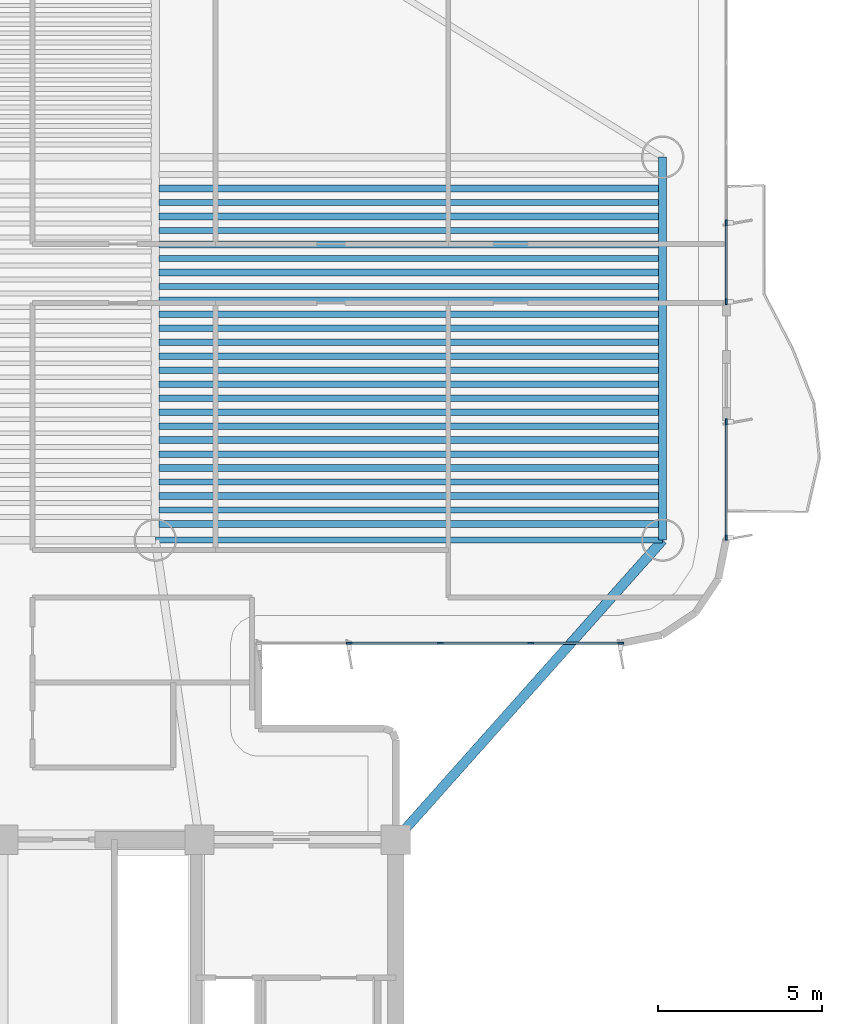
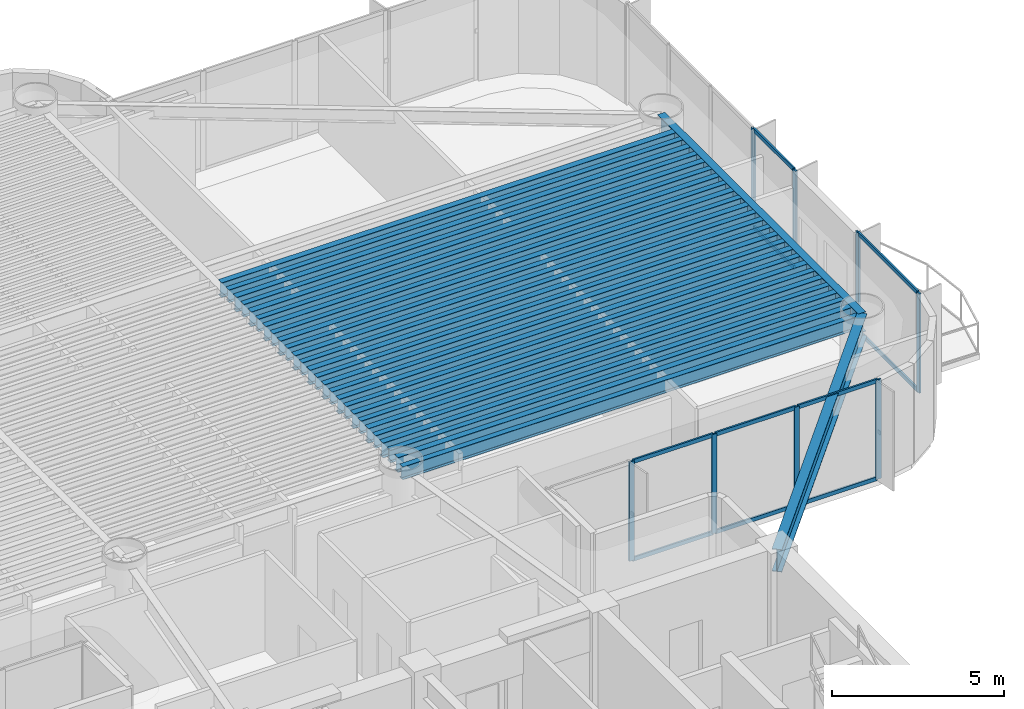
# One storey, part 4 of 16: 28 beams, 18 members, 3 elements without a shape of their own.
"""IFC4 building model written with IfcOpenShell, lengths in metres."""

import ifcopenshell
import ifcopenshell.guid

model = None  # the IFC model being written
_history = None  # IfcOwnerHistory: only IFC2X3 demands one
_inside = {}  # id of a spatial element -> (the spatial element, [elements in it])
_under = {}  # id of a project, library or spatial element -> (it, [spatial elements below it])
_declared = {}  # id of a project -> (the project, [libraries it declares])
_typed = {}  # id of a type object -> (the type object, [elements of that type])
_made_of = {}  # id of a material, layer set ... -> (it, [elements and type objects made of it])


def new_model(schema):
    """Start an empty IFC model of exactly this schema.

    Asked for "IFC4X3", IfcOpenShell would pick the latest addendum, in which some entities
    have other attributes; the version numbers below select the first issue.
    IFC2X3 requires an IfcOwnerHistory on every rooted entity: one is made here for all.
    """
    global model, _history
    if schema == "IFC4X3":
        model = ifcopenshell.file(schema_version=(4, 3, 0, 0))
    else:
        model = ifcopenshell.file(schema=schema)
    _inside.clear()
    _under.clear()
    _declared.clear()
    _typed.clear()
    _made_of.clear()
    _history = None
    if model.schema == "IFC2X3":
        org = make("IfcOrganization", Name="unknown")
        user = make(
            "IfcPersonAndOrganization",
            ThePerson=make("IfcPerson", FamilyName="unknown"),
            TheOrganization=org,
        )
        app = make(
            "IfcApplication",
            ApplicationDeveloper=org,
            Version="unknown",
            ApplicationFullName="unknown",
            ApplicationIdentifier="unknown",
        )
        _history = make(
            "IfcOwnerHistory",
            OwningUser=user,
            OwningApplication=app,
            ChangeAction="ADDED",
            CreationDate=0,
        )
    return model


def make(cls, **values):
    """One entity of the class cls with the attributes given. An attribute that is None is left unset."""
    return model.create_entity(
        cls, **{name: value for name, value in values.items() if value is not None}
    )


def rooted(cls, **values):
    """An entity with a GlobalId (a new one), such as an element, a storey or a relation."""
    return make(cls, GlobalId=ifcopenshell.guid.new(), OwnerHistory=_history, **values)


def si_unit(unit_type, name, prefix=None):
    """IfcSIUnit, for example si_unit("LENGTHUNIT", "METRE", prefix="MILLI")."""
    return make("IfcSIUnit", UnitType=unit_type, Prefix=prefix, Name=name)


def assignment(units):
    """IfcUnitAssignment: the units of a project."""
    return None if units is None else make("IfcUnitAssignment", Units=units)


def point(xyz):
    """IfcCartesianPoint."""
    return None if xyz is None else make("IfcCartesianPoint", Coordinates=xyz)


def direction(xyz):
    """IfcDirection."""
    return None if xyz is None else make("IfcDirection", DirectionRatios=xyz)


def frame(location, z_axis=None, x_axis=None):
    """IfcAxis2Placement3D, a coordinate frame: its origin and axes. An axis left out is left unset."""
    return make(
        "IfcAxis2Placement3D",
        Location=point(location),
        Axis=direction(z_axis),
        RefDirection=direction(x_axis),
    )


def frame_2d(location, x_axis=None):
    """IfcAxis2Placement2D, a coordinate frame in the plane: its origin and x axis."""
    return make(
        "IfcAxis2Placement2D", Location=point(location), RefDirection=direction(x_axis)
    )


def origin():
    """The frame at (0, 0, 0) with its axes left unset."""
    return frame((0.0, 0.0, 0.0))


def origin_2d():
    """The frame at (0, 0) in the plane with its x axis left unset."""
    return frame_2d((0.0, 0.0))


def place(relative_to, where):
    """IfcLocalPlacement: puts the frame where relative to a parent placement (None: the world)."""
    return make(
        "IfcLocalPlacement", PlacementRelTo=relative_to, RelativePlacement=where
    )


def context(
    kind, dimensions, precision=None, world=None, true_north=None, identifier=None
):
    """IfcGeometricRepresentationContext, for example the 3D "Model" context."""
    return make(
        "IfcGeometricRepresentationContext",
        ContextIdentifier=identifier,
        ContextType=kind,
        CoordinateSpaceDimension=dimensions,
        Precision=precision,
        WorldCoordinateSystem=world,
        TrueNorth=true_north,
    )


def subcontext(parent, identifier, kind, view, scale=None):
    """IfcGeometricRepresentationSubContext, for example "Body" below "Model"."""
    return make(
        "IfcGeometricRepresentationSubContext",
        ContextIdentifier=identifier,
        ContextType=kind,
        ParentContext=parent,
        TargetScale=scale,
        TargetView=view,
    )


def project(units=None, contexts=None):
    """IfcProject with its units and contexts."""
    return rooted(
        "IfcProject",
        Name="project",
        RepresentationContexts=contexts,
        UnitsInContext=assignment(units),
    )


def spatial(cls, under=None, at=None, **own):
    """A site, building, storey or space (cls), placed at a placement, below another one or the project."""
    s = rooted(cls, ObjectPlacement=at, **own)
    if under is not None:
        _under.setdefault(under.id(), (under, []))[1].append(s)
    return s


def profile(cls, at=None, kind="AREA", **sizes):
    """A parametric profile (cls). Its sizes go by their IFC names, for example OverallWidth=200.0."""
    return make(cls, ProfileType=kind, Position=at, **sizes)


def rectangle(**sizes):
    """IfcRectangleProfileDef."""
    return profile("IfcRectangleProfileDef", **sizes)


def i_section(**sizes):
    """IfcIShapeProfileDef."""
    return profile("IfcIShapeProfileDef", **sizes)


def extrude(swept, where, along, depth):
    """IfcExtrudedAreaSolid: the profile swept, set in the frame where, extruded along a direction by depth."""
    return make(
        "IfcExtrudedAreaSolid",
        SweptArea=swept,
        Position=where,
        ExtrudedDirection=direction(along),
        Depth=depth,
    )


def shape(context_of_items, identifier, shape_type, items):
    """IfcShapeRepresentation: the items that make up one representation, for example the "Body"."""
    return make(
        "IfcShapeRepresentation",
        ContextOfItems=context_of_items,
        RepresentationIdentifier=identifier,
        RepresentationType=shape_type,
        Items=items,
    )


def source(mapping_origin, context_of_items, identifier, shape_type, items):
    """IfcRepresentationMap: a shape defined once, which mapped items show again and again."""
    return make(
        "IfcRepresentationMap",
        MappingOrigin=mapping_origin,
        MappedRepresentation=shape(context_of_items, identifier, shape_type, items),
    )


def transform(
    local_origin,
    x_axis=None,
    y_axis=None,
    z_axis=None,
    scale=None,
    scale2=None,
    scale3=None,
    uniform=True,
):
    """IfcCartesianTransformationOperator3D, or its non-uniform kind. x_axis, y_axis, z_axis: its Axis1, 2, 3."""
    if uniform:
        return make(
            "IfcCartesianTransformationOperator3D",
            Axis1=direction(x_axis),
            Axis2=direction(y_axis),
            LocalOrigin=point(local_origin),
            Scale=scale,
            Axis3=direction(z_axis),
        )
    return make(
        "IfcCartesianTransformationOperator3DnonUniform",
        Axis1=direction(x_axis),
        Axis2=direction(y_axis),
        LocalOrigin=point(local_origin),
        Scale=scale,
        Axis3=direction(z_axis),
        Scale2=scale2,
        Scale3=scale3,
    )


def mapped(mapping_source, mapping_target):
    """IfcMappedItem: shows the shape of a source again, moved by a transform."""
    return make(
        "IfcMappedItem", MappingSource=mapping_source, MappingTarget=mapping_target
    )


def material(Name=None, Category=None):
    """IfcMaterial."""
    return make("IfcMaterial", Name=Name, Category=Category)


def layer(
    of_material, thickness, ventilated=None, Name=None, Category=None, Priority=None
):
    """IfcMaterialLayer: one layer of a wall or slab, of a material (None: an air gap)."""
    return make(
        "IfcMaterialLayer",
        Material=of_material,
        LayerThickness=thickness,
        IsVentilated=ventilated,
        Name=Name,
        Category=Category,
        Priority=Priority,
    )


def layer_set(layers, Name=None):
    """IfcMaterialLayerSet."""
    return make("IfcMaterialLayerSet", MaterialLayers=layers, LayerSetName=Name)


def material_profile(
    of_material, cross_section, Name=None, Category=None, Priority=None
):
    """IfcMaterialProfile: a cross section and its material."""
    return make(
        "IfcMaterialProfile",
        Name=Name,
        Material=of_material,
        Profile=cross_section,
        Priority=Priority,
        Category=Category,
    )


def profile_set(profiles, Name=None, composite=None):
    """IfcMaterialProfileSet."""
    return make(
        "IfcMaterialProfileSet",
        Name=Name,
        MaterialProfiles=profiles,
        CompositeProfile=composite,
    )


def made_of(thing, what):
    """Note that an element or type object is made of a material, layer set ...; save() writes the relation."""
    if what is not None:
        _made_of.setdefault(what.id(), (what, []))[1].append(thing)
    return thing


def type_object(cls, material=None, **own):
    """A type object (cls), such as IfcWallType, which elements share."""
    return made_of(rooted(cls, **own), material)


def element(
    cls,
    number,
    at=None,
    inside=None,
    cuts=None,
    type_object=None,
    material=None,
    context=None,
    identifier="Body",
    shape_type=None,
    held_by="IfcProductDefinitionShape",
    body=None,
    shapes=None,
    **own,
):
    """One element of the class cls, such as IfcWall. Its Tag is "e" and its number.

    at: its placement. inside: the storey or other place that contains it. cuts: it is an
    opening in that element (IfcRelVoidsElement). A single representation is given by context,
    identifier, shape_type and body (its items); several are given by shapes. held_by: the class
    of the entity that holds the representations. save() writes the other relations.
    """
    e = rooted(cls, Tag="e%d" % number, ObjectPlacement=at, **own)
    if body is not None:
        shapes = [shape(context, identifier, shape_type, body)]
    if shapes is not None:
        e.Representation = make(held_by, Representations=shapes)
    if inside is not None:
        _inside.setdefault(inside.id(), (inside, []))[1].append(e)
    if cuts is not None:
        rooted(
            "IfcRelVoidsElement", RelatingBuildingElement=cuts, RelatedOpeningElement=e
        )
    if type_object is not None:
        _typed.setdefault(type_object.id(), (type_object, []))[1].append(e)
    return made_of(e, material)


def aggregate(whole, parts):
    """IfcRelAggregates: a whole, such as a stair, and the parts it consists of."""
    return rooted("IfcRelAggregates", RelatingObject=whole, RelatedObjects=parts)


def save(model, path):
    """Write the relations noted so far, then the file.

    IfcRelAggregates (storeys below a building ...), IfcRelContainedInSpatialStructure (elements
    in a storey), IfcRelDefinesByType, IfcRelAssociatesMaterial and IfcRelDeclares: one each for
    every whole, place, type object, material and project.
    """
    for whole, parts in _under.values():
        aggregate(whole, parts)
    for where, things in _inside.values():
        rooted(
            "IfcRelContainedInSpatialStructure",
            RelatedElements=things,
            RelatingStructure=where,
        )
    for kind, things in _typed.values():
        rooted("IfcRelDefinesByType", RelatedObjects=things, RelatingType=kind)
    for what, things in _made_of.values():
        rooted("IfcRelAssociatesMaterial", RelatedObjects=things, RelatingMaterial=what)
    for by, libraries in _declared.values():
        rooted("IfcRelDeclares", RelatingContext=by, RelatedDefinitions=libraries)
    model.write(path)


model = new_model("IFC4")

# Units and contexts
model_context = context("Model", 3, precision=1e-05, world=origin(), true_north=direction((0.0, 1.0)))
body_context = subcontext(model_context, "Body", "Model", "MODEL_VIEW")
ifc_project = project(units=[si_unit("LENGTHUNIT", "METRE"), si_unit("AREAUNIT", "SQUARE_METRE"), si_unit("VOLUMEUNIT", "CUBIC_METRE"), si_unit("PLANEANGLEUNIT", "RADIAN"), si_unit("MASSUNIT", "GRAM", prefix="KILO")], contexts=[model_context])

# Site, building, storey
site_placement = place(None, origin())
site = spatial("IfcSite", under=ifc_project, at=site_placement, CompositionType="ELEMENT")
building_placement = place(site_placement, origin())
building = spatial("IfcBuilding", under=site, at=building_placement, Name="Brelvock Crest Care Tower", CompositionType="ELEMENT")
storey_placement = place(building_placement, frame((0.0, 0.0, 123.840087890625)))
storey = spatial("IfcBuildingStorey", under=building, at=storey_placement, Name="L31", CompositionType="ELEMENT", Elevation=123.840087890625)

# Beams
ifc_material_1 = material(Name="Steel Grade 350", Category="steel")
ifc_material_profile_1 = material_profile(ifc_material_1, i_section(OverallWidth=0.208984375, OverallDepth=0.532958984375, WebThickness=0.01025390625, FlangeThickness=0.015625, FilletRadius=0.013916015625, at=origin_2d()), Name="530UB92.4")
ifc_profile_set_1 = profile_set([ifc_material_profile_1], Name="Steel Grade 350")
beam_type_1 = type_object("IfcBeamType", Name="BM-G2", PredefinedType="BEAM", material=ifc_profile_set_1)
shared_shape_1 = source(origin(), body_context, "Body", "SweptSolid", [
    extrude(i_section(OverallWidth=0.208984375, OverallDepth=0.532958984375, WebThickness=0.01025390625, FlangeThickness=0.015625, FilletRadius=0.013916015625, at=origin_2d()), origin(), (0.0, 0.0, 1.0), 15.27001953125),
])
for number, where, z_axis, x_axis, name in (
    (1, (40.764892578125, 27.641357421875, 3.263427734375), (1.0, 0.0, 0.0), (0.0, 1.0, 0.0), "BM-JE-L31-1"),
    (2, (40.764892578125, 28.49560546875, 3.263427734375), (1.0, 0.0, 0.0), (0.0, 1.0, 0.0), "BM-JE-L31-3"),
    (3, (40.764892578125, 29.349609375, 3.263427734375), (1.0, 0.0, 0.0), (0.0, 1.0, 0.0), "BM-JE-L31-5"),
    (4, (40.764892578125, 30.20361328125, 3.263427734375), (1.0, 0.0, 0.0), (0.0, 1.0, 0.0), "BM-JE-L31-7"),
    (5, (40.764892578125, 31.057861328125, 3.263427734375), (1.0, 0.0, 0.0), (0.0, 1.0, 0.0), "BM-JE-L31-9"),
    (6, (40.764892578125, 31.911865234375, 3.263427734375), (1.0, 0.0, 0.0), (0.0, 1.0, 0.0), "BM-JE-L31-11"),
    (7, (40.764892578125, 32.76611328125, 3.263427734375), (1.0, 0.0, 0.0), (0.0, 1.0, 0.0), "BM-JE-L31-13"),
    (8, (40.764892578125, 33.6201171875, 3.263427734375), (1.0, 0.0, 0.0), (0.0, 1.0, 0.0), "BM-JE-L31-15"),
    (9, (40.764892578125, 34.47412109375, 3.263427734375), (1.0, 0.0, 0.0), (0.0, 1.0, 0.0), "BM-JE-L31-17"),
    (10, (40.764892578125, 35.328369140625, 3.263427734375), (1.0, 0.0, 0.0), (0.0, 1.0, 0.0), "BM-JE-L31-19"),
    (11, (40.764892578125, 36.182373046875, 3.263427734375), (1.0, 0.0, 0.0), (0.0, 1.0, 0.0), "BM-JE-L31-21"),
    (12, (40.764892578125, 37.03662109375, 3.263427734375), (1.0, 0.0, 0.0), (0.0, 1.0, 0.0), "BM-JE-L31-23"),
    (13, (40.764892578125, 37.890625, 3.263427734375), (1.0, 0.0, 0.0), (0.0, 1.0, 0.0), "BM-JE-L31-25"),
):
    element("IfcBeam", number, at=place(storey_placement, frame(where, z_axis=z_axis, x_axis=x_axis)), inside=storey, type_object=beam_type_1, Name=name, PredefinedType="BEAM", context=body_context, shape_type="MappedRepresentation", body=[
        mapped(shared_shape_1, transform((0.0, 0.0, 0.0), x_axis=(1.0, 0.0, 0.0), y_axis=(0.0, 1.0, 0.0), z_axis=(0.0, 0.0, 1.0), scale=1.0)),
    ])
ifc_material_profile_2 = material_profile(ifc_material_1, i_section(OverallWidth=0.19091796875, OverallDepth=0.4599609375, WebThickness=0.010009765625, FlangeThickness=0.01611328125, FilletRadius=0.011474609375, at=origin_2d()), Name="460UB82.1")
ifc_profile_set_2 = profile_set([ifc_material_profile_2], Name="Steel Grade 350")
beam_type_2 = type_object("IfcBeamType", Name="BM-G3", PredefinedType="BEAM", material=ifc_profile_set_2)
shared_shape_2 = source(origin(), body_context, "Body", "SweptSolid", [
    extrude(i_section(OverallWidth=0.19091796875, OverallDepth=0.4599609375, WebThickness=0.010009765625, FlangeThickness=0.01611328125, FilletRadius=0.011474609375, at=origin_2d()), origin(), (0.0, 0.0, 1.0), 15.27001953125),
])
for number, where, z_axis, x_axis, name in (
    (14, (40.764892578125, 28.068359375, 3.2998046875), (1.0, 0.0, 0.0), (0.0, 1.0, 0.0), "BM-JE-L31-2"),
    (15, (40.764892578125, 28.922607421875, 3.2998046875), (1.0, 0.0, 0.0), (0.0, 1.0, 0.0), "BM-JE-L31-4"),
    (16, (40.764892578125, 29.776611328125, 3.2998046875), (1.0, 0.0, 0.0), (0.0, 1.0, 0.0), "BM-JE-L31-6"),
    (17, (40.764892578125, 30.630615234375, 3.2998046875), (1.0, 0.0, 0.0), (0.0, 1.0, 0.0), "BM-JE-L31-8"),
    (18, (40.764892578125, 31.48486328125, 3.2998046875), (1.0, 0.0, 0.0), (0.0, 1.0, 0.0), "BM-JE-L31-10"),
    (19, (40.764892578125, 32.3388671875, 3.2998046875), (1.0, 0.0, 0.0), (0.0, 1.0, 0.0), "BM-JE-L31-12"),
    (20, (40.764892578125, 33.193115234375, 3.2998046875), (1.0, 0.0, 0.0), (0.0, 1.0, 0.0), "BM-JE-L31-14"),
    (21, (40.764892578125, 34.047119140625, 3.2998046875), (1.0, 0.0, 0.0), (0.0, 1.0, 0.0), "BM-JE-L31-16"),
    (22, (40.764892578125, 34.901123046875, 3.2998046875), (1.0, 0.0, 0.0), (0.0, 1.0, 0.0), "BM-JE-L31-18"),
    (23, (40.764892578125, 35.75537109375, 3.2998046875), (1.0, 0.0, 0.0), (0.0, 1.0, 0.0), "BM-JE-L31-20"),
    (24, (40.764892578125, 36.609619140625, 3.2998046875), (1.0, 0.0, 0.0), (0.0, 1.0, 0.0), "BM-JE-L31-22"),
    (25, (40.764892578125, 37.46337890625, 3.2998046875), (1.0, 0.0, 0.0), (0.0, 1.0, 0.0), "BM-JE-L31-24"),
):
    element("IfcBeam", number, at=place(storey_placement, frame(where, z_axis=z_axis, x_axis=x_axis)), inside=storey, type_object=beam_type_2, Name=name, PredefinedType="BEAM", context=body_context, shape_type="MappedRepresentation", body=[
        mapped(shared_shape_2, transform((0.0, 0.0, 0.0), x_axis=(1.0, 0.0, 0.0), y_axis=(0.0, 1.0, 0.0), z_axis=(0.0, 0.0, 1.0), scale=1.0)),
    ])
ifc_material_profile_3 = material_profile(ifc_material_1, i_section(OverallWidth=0.25, OverallDepth=0.699951171875, WebThickness=0.011962890625, FlangeThickness=0.02001953125, at=origin_2d()), Name="700WB150")
ifc_profile_set_3 = profile_set([ifc_material_profile_3], Name="Steel Grade 350")
beam_type_3 = type_object("IfcBeamType", Name="BM-G4", PredefinedType="BEAM", material=ifc_profile_set_3)
shared_shape_3 = source(origin(), body_context, "Body", "SweptSolid", [
    extrude(i_section(OverallWidth=0.25, OverallDepth=0.699951171875, WebThickness=0.011962890625, FlangeThickness=0.02001953125, at=origin_2d()), origin(), (0.0, 0.0, 1.0), 11.7001953125),
])
beam_1_placement = place(storey_placement, frame((56.14990234375, 27.14990234375, 3.179931640625), z_axis=(0.0, 1.0, 0.0), x_axis=(-1.0, 0.0, 0.0)))
element("IfcBeam", 26, at=beam_1_placement, inside=storey, type_object=beam_type_3, Name="BM-TWR-L31-02", PredefinedType="BEAM", context=body_context, shape_type="MappedRepresentation", body=[
    mapped(shared_shape_3, transform((0.0, 0.0, 0.0), x_axis=(1.0, 0.0, 0.0), y_axis=(0.0, 1.0, 0.0), z_axis=(0.0, 0.0, 1.0), scale=1.0)),
])
ifc_material_profile_4 = material_profile(ifc_material_1, i_section(OverallWidth=0.19091796875, OverallDepth=0.4599609375, WebThickness=0.010009765625, FlangeThickness=0.01611328125, FilletRadius=0.011474609375, at=origin_2d()), Name="460UB82.1")
ifc_profile_set_4 = profile_set([ifc_material_profile_4], Name="Steel Grade 350")
beam_type_4 = type_object("IfcBeamType", Name="BM-SP2", PredefinedType="SPANDREL", material=ifc_profile_set_4)
shared_shape_4 = source(origin(), body_context, "Body", "SweptSolid", [
    extrude(i_section(OverallWidth=0.19091796875, OverallDepth=0.4599609375, WebThickness=0.010009765625, FlangeThickness=0.01611328125, FilletRadius=0.011474609375, at=origin_2d()), origin(), (0.0, 0.0, 1.0), 15.5),
])
beam_2_placement = place(storey_placement, frame((40.64990234375, 27.14990234375, 3.2998046875), z_axis=(1.0, 0.0, 0.0), x_axis=(0.0, 1.0, 0.0)))
element("IfcBeam", 27, at=beam_2_placement, inside=storey, type_object=beam_type_4, Name="BM-TWR-L31-04", PredefinedType="SPANDREL", context=body_context, shape_type="MappedRepresentation", body=[
    mapped(shared_shape_4, transform((0.0, 0.0, 0.0), x_axis=(1.0, 0.0, 0.0), y_axis=(0.0, 1.0, 0.0), z_axis=(0.0, 0.0, 1.0), scale=1.0)),
])
ifc_material_profile_5 = material_profile(ifc_material_1, i_section(OverallWidth=0.300048828125, OverallDepth=0.800048828125, WebThickness=0.013916015625, FlangeThickness=0.02197265625, at=origin_2d()), Name="800WB192")
ifc_profile_set_5 = profile_set([ifc_material_profile_5], Name="Steel Grade 350")
beam_type_5 = type_object("IfcBeamType", Name="BM-G5", PredefinedType="BEAM", material=ifc_profile_set_5)
shared_shape_5 = source(origin(), body_context, "Body", "SweptSolid", [
    extrude(i_section(OverallWidth=0.300048828125, OverallDepth=0.800048828125, WebThickness=0.013916015625, FlangeThickness=0.02197265625, at=origin_2d()), origin(), (0.0, 0.0, 1.0), 12.253173828125),
])
beam_3_placement = place(storey_placement, frame((48.0, 18.0, 3.1298828125), z_axis=(0.665122829149, 0.746733970129, 0.0), x_axis=(-0.746733970129, 0.665122829149, 0.0)))
element("IfcBeam", 28, at=beam_3_placement, inside=storey, type_object=beam_type_5, Name="BM-THRO-E-L31", PredefinedType="BEAM", context=body_context, shape_type="MappedRepresentation", body=[
    mapped(shared_shape_5, transform((0.0, 0.0, 0.0), x_axis=(1.0, 0.0, 0.0), y_axis=(0.0, 1.0, 0.0), z_axis=(0.0, 0.0, 1.0), scale=1.0)),
])

# Curtain wall, members
ifc_material_2 = material(Name="Dark Glass Double Glazed Low-E", Category="glass")
ifc_layer = layer(ifc_material_2, 0.2099609375, Name="CWS-3")
ifc_layer_set = layer_set([ifc_layer], Name="Dark Glass Double Glazed Low-E")
curtain_wall_type = type_object("IfcCurtainWallType", Name="CWS-3", PredefinedType="NOTDEFINED", material=ifc_layer_set)
curtain_wall_1_placement = place(storey_placement, origin())
curtain_wall_1 = element("IfcCurtainWall", 29, at=curtain_wall_1_placement, inside=storey, type_object=curtain_wall_type, Name="L31 Curtain Wall E39A", PredefinedType="NOTDEFINED")
ifc_material_3 = material(Name="Aluminium 6063-T6", Category="aluminium")
ifc_material_profile_6 = material_profile(ifc_material_3, rectangle(XDim=0.06005859375, YDim=0.179931640625, at=origin_2d()), Name="ALU60x180")
ifc_profile_set_6 = profile_set([ifc_material_profile_6], Name="Aluminium 6063-T6")
member_type_1 = type_object("IfcMemberType", Name="CWM-2", PredefinedType="MULLION", material=ifc_profile_set_6)
shared_shape_6 = source(origin(), body_context, "Body", "SweptSolid", [
    extrude(rectangle(XDim=0.06005859375, YDim=0.179931640625, at=origin_2d()), origin(), (0.0, 0.0, 1.0), 3.530029296875),
])
member_1_placement = place(storey_placement, frame((58.10009765625, 36.85009765625, 0.0), z_axis=(0.0, 0.0, 1.0), x_axis=(1.0, 0.0, 0.0)))
member_1 = element("IfcMember", 30, at=member_1_placement, type_object=member_type_1, Name="CW-3 mullion 4", PredefinedType="MULLION", context=body_context, shape_type="MappedRepresentation", body=[
    mapped(shared_shape_6, transform((0.0, 0.0, 0.0), x_axis=(1.0, 0.0, 0.0), y_axis=(0.0, 1.0, 0.0), z_axis=(0.0, 0.0, 1.0), scale=1.0)),
])
member_2_placement = place(storey_placement, frame((58.10009765625, 34.429931640625, 0.0), z_axis=(0.0, 0.0, 1.0), x_axis=(1.0, 0.0, 0.0)))
member_2 = element("IfcMember", 31, at=member_2_placement, type_object=member_type_1, Name="CW-3 mullion 5", PredefinedType="MULLION", context=body_context, shape_type="MappedRepresentation", body=[
    mapped(shared_shape_6, transform((0.0, 0.0, 0.0), x_axis=(1.0, 0.0, 0.0), y_axis=(0.0, 1.0, 0.0), z_axis=(0.0, 0.0, 1.0), scale=1.0)),
])

curtain_wall_2_placement = place(storey_placement, origin())
curtain_wall_2 = element("IfcCurtainWall", 32, at=curtain_wall_2_placement, inside=storey, type_object=curtain_wall_type, Name="L31 Curtain Wall E39B", PredefinedType="NOTDEFINED")
member_3_placement = place(storey_placement, frame((58.10009765625, 30.77001953125, 0.0), z_axis=(0.0, 0.0, 1.0), x_axis=(1.0, 0.0, 0.0)))
member_3 = element("IfcMember", 33, at=member_3_placement, type_object=member_type_1, Name="CW-3 mullion 1", PredefinedType="MULLION", context=body_context, shape_type="MappedRepresentation", body=[
    mapped(shared_shape_6, transform((0.0, 0.0, 0.0), x_axis=(1.0, 0.0, 0.0), y_axis=(0.0, 1.0, 0.0), z_axis=(0.0, 0.0, 1.0), scale=1.0)),
])
member_4_placement = place(storey_placement, frame((58.10009765625, 27.22998046875, 0.0), z_axis=(0.0, 0.0, 1.0), x_axis=(1.0, 0.0, 0.0)))
member_4 = element("IfcMember", 34, at=member_4_placement, type_object=member_type_1, Name="CW-3 mullion 2", PredefinedType="MULLION", context=body_context, shape_type="MappedRepresentation", body=[
    mapped(shared_shape_6, transform((0.0, 0.0, 0.0), x_axis=(1.0, 0.0, 0.0), y_axis=(0.0, 1.0, 0.0), z_axis=(0.0, 0.0, 1.0), scale=1.0)),
])

curtain_wall_3_placement = place(storey_placement, origin())
curtain_wall_3 = element("IfcCurtainWall", 35, at=curtain_wall_3_placement, inside=storey, type_object=curtain_wall_type, Name="L31 Curtain Wall E44", PredefinedType="NOTDEFINED")
member_5_placement = place(storey_placement, frame((54.8701171875, 24.0, 0.0), z_axis=(0.0, 0.0, 1.0), x_axis=(0.0, -1.0, 0.0)))
member_5 = element("IfcMember", 36, at=member_5_placement, type_object=member_type_1, Name="CW-3 mullion 1", PredefinedType="MULLION", context=body_context, shape_type="MappedRepresentation", body=[
    mapped(shared_shape_6, transform((0.0, 0.0, 0.0), x_axis=(1.0, 0.0, 0.0), y_axis=(0.0, 1.0, 0.0), z_axis=(0.0, 0.0, 1.0), scale=1.0)),
])
member_6_placement = place(storey_placement, frame((52.125, 24.0, 0.0), z_axis=(0.0, 0.0, 1.0), x_axis=(0.0, -1.0, 0.0)))
member_6 = element("IfcMember", 37, at=member_6_placement, type_object=member_type_1, Name="CW-3 mullion 2", PredefinedType="MULLION", context=body_context, shape_type="MappedRepresentation", body=[
    mapped(shared_shape_6, transform((0.0, 0.0, 0.0), x_axis=(1.0, 0.0, 0.0), y_axis=(0.0, 1.0, 0.0), z_axis=(0.0, 0.0, 1.0), scale=1.0)),
])
member_7_placement = place(storey_placement, frame((49.35009765625, 24.0, 0.0), z_axis=(0.0, 0.0, 1.0), x_axis=(0.0, -1.0, 0.0)))
member_7 = element("IfcMember", 38, at=member_7_placement, type_object=member_type_1, Name="CW-3 mullion 3", PredefinedType="MULLION", context=body_context, shape_type="MappedRepresentation", body=[
    mapped(shared_shape_6, transform((0.0, 0.0, 0.0), x_axis=(1.0, 0.0, 0.0), y_axis=(0.0, 1.0, 0.0), z_axis=(0.0, 0.0, 1.0), scale=1.0)),
])
member_8_placement = place(storey_placement, frame((46.574951171875, 24.0, 0.0), z_axis=(0.0, 0.0, 1.0), x_axis=(0.0, -1.0, 0.0)))
member_8 = element("IfcMember", 39, at=member_8_placement, type_object=member_type_1, Name="CW-3 mullion 4", PredefinedType="MULLION", context=body_context, shape_type="MappedRepresentation", body=[
    mapped(shared_shape_6, transform((0.0, 0.0, 0.0), x_axis=(1.0, 0.0, 0.0), y_axis=(0.0, 1.0, 0.0), z_axis=(0.0, 0.0, 1.0), scale=1.0)),
])
ifc_material_profile_7 = material_profile(ifc_material_3, rectangle(XDim=0.06005859375, YDim=0.139892578125, at=origin_2d()), Name="ALU60x140")
ifc_profile_set_7 = profile_set([ifc_material_profile_7], Name="Aluminium 6063-T6")
member_type_2 = type_object("IfcMemberType", Name="CWT-2", PredefinedType="USERDEFINED", material=ifc_profile_set_7)
shared_shape_7 = source(origin(), body_context, "Body", "SweptSolid", [
    extrude(rectangle(XDim=0.06005859375, YDim=0.139892578125, at=origin_2d()), origin(), (0.0, 0.0, 1.0), 2.715087890625),
])
member_9_placement = place(storey_placement, frame((52.094970703125, 24.0, 0.030029296875), z_axis=(-1.0, 0.0, 0.0), x_axis=(0.0, -1.0, 0.0)))
member_9 = element("IfcMember", 40, at=member_9_placement, type_object=member_type_2, Name="CW-3 transom 2.1", ObjectType="TRANSOM", PredefinedType="USERDEFINED", context=body_context, shape_type="MappedRepresentation", body=[
    mapped(shared_shape_7, transform((0.0, 0.0, 0.0), x_axis=(1.0, 0.0, 0.0), y_axis=(0.0, 1.0, 0.0), z_axis=(0.0, 0.0, 1.0), scale=1.0)),
])
member_10_placement = place(storey_placement, frame((52.094970703125, 24.0, 3.5), z_axis=(-1.0, 0.0, 0.0), x_axis=(0.0, -1.0, 0.0)))
member_10 = element("IfcMember", 41, at=member_10_placement, type_object=member_type_2, Name="CW-3 transom 2.2", ObjectType="TRANSOM", PredefinedType="USERDEFINED", context=body_context, shape_type="MappedRepresentation", body=[
    mapped(shared_shape_7, transform((0.0, 0.0, 0.0), x_axis=(1.0, 0.0, 0.0), y_axis=(0.0, 1.0, 0.0), z_axis=(0.0, 0.0, 1.0), scale=1.0)),
])
member_11_placement = place(storey_placement, frame((49.320068359375, 24.0, 0.030029296875), z_axis=(-1.0, 0.0, 0.0), x_axis=(0.0, -1.0, 0.0)))
member_11 = element("IfcMember", 42, at=member_11_placement, type_object=member_type_2, Name="CW-3 transom 3.1", ObjectType="TRANSOM", PredefinedType="USERDEFINED", context=body_context, shape_type="MappedRepresentation", body=[
    mapped(shared_shape_7, transform((0.0, 0.0, 0.0), x_axis=(1.0, 0.0, 0.0), y_axis=(0.0, 1.0, 0.0), z_axis=(0.0, 0.0, 1.0), scale=1.0)),
])
member_12_placement = place(storey_placement, frame((49.320068359375, 24.0, 3.5), z_axis=(-1.0, 0.0, 0.0), x_axis=(0.0, -1.0, 0.0)))
member_12 = element("IfcMember", 43, at=member_12_placement, type_object=member_type_2, Name="CW-3 transom 3.2", ObjectType="TRANSOM", PredefinedType="USERDEFINED", context=body_context, shape_type="MappedRepresentation", body=[
    mapped(shared_shape_7, transform((0.0, 0.0, 0.0), x_axis=(1.0, 0.0, 0.0), y_axis=(0.0, 1.0, 0.0), z_axis=(0.0, 0.0, 1.0), scale=1.0)),
])
shared_shape_8 = source(origin(), body_context, "Body", "SweptSolid", [
    extrude(rectangle(XDim=0.06005859375, YDim=0.139892578125, at=origin_2d()), origin(), (0.0, 0.0, 1.0), 2.68505859375),
])
member_13_placement = place(storey_placement, frame((54.840087890625, 24.0, 0.030029296875), z_axis=(-1.0, 0.0, 0.0), x_axis=(0.0, -1.0, 0.0)))
member_13 = element("IfcMember", 44, at=member_13_placement, type_object=member_type_2, Name="CW-3 transom 1.1", ObjectType="TRANSOM", PredefinedType="USERDEFINED", context=body_context, shape_type="MappedRepresentation", body=[
    mapped(shared_shape_8, transform((0.0, 0.0, 0.0), x_axis=(1.0, 0.0, 0.0), y_axis=(0.0, 1.0, 0.0), z_axis=(0.0, 0.0, 1.0), scale=1.0)),
])
member_14_placement = place(storey_placement, frame((54.840087890625, 24.0, 3.5), z_axis=(-1.0, 0.0, 0.0), x_axis=(0.0, -1.0, 0.0)))
member_14 = element("IfcMember", 45, at=member_14_placement, type_object=member_type_2, Name="CW-3 transom 1.2", ObjectType="TRANSOM", PredefinedType="USERDEFINED", context=body_context, shape_type="MappedRepresentation", body=[
    mapped(shared_shape_8, transform((0.0, 0.0, 0.0), x_axis=(1.0, 0.0, 0.0), y_axis=(0.0, 1.0, 0.0), z_axis=(0.0, 0.0, 1.0), scale=1.0)),
])
aggregate(curtain_wall_3, [member_5, member_6, member_7, member_8, member_13, member_14, member_9, member_10, member_11, member_12])

# Member
shared_shape_9 = source(origin(), body_context, "Body", "SweptSolid", [
    extrude(rectangle(XDim=0.06005859375, YDim=0.139892578125, at=origin_2d()), origin(), (0.0, 0.0, 1.0), 3.47998046875),
])
member_15_placement = place(storey_placement, frame((58.10009765625, 30.739990234375, 0.030029296875), z_axis=(0.0, -1.0, 0.0), x_axis=(1.0, 0.0, 0.0)))
member_15 = element("IfcMember", 46, at=member_15_placement, type_object=member_type_2, Name="CW-3 transom 1.1", ObjectType="TRANSOM", PredefinedType="USERDEFINED", context=body_context, shape_type="MappedRepresentation", body=[
    mapped(shared_shape_9, transform((0.0, 0.0, 0.0), x_axis=(1.0, 0.0, 0.0), y_axis=(0.0, 1.0, 0.0), z_axis=(0.0, 0.0, 1.0), scale=1.0)),
])

member_16_placement = place(storey_placement, frame((58.10009765625, 30.739990234375, 3.5), z_axis=(0.0, -1.0, 0.0), x_axis=(1.0, 0.0, 0.0)))
member_16 = element("IfcMember", 47, at=member_16_placement, type_object=member_type_2, Name="CW-3 transom 1.2", ObjectType="TRANSOM", PredefinedType="USERDEFINED", context=body_context, shape_type="MappedRepresentation", body=[
    mapped(shared_shape_9, transform((0.0, 0.0, 0.0), x_axis=(1.0, 0.0, 0.0), y_axis=(0.0, 1.0, 0.0), z_axis=(0.0, 0.0, 1.0), scale=1.0)),
])

aggregate(curtain_wall_2, [member_3, member_4, member_15, member_16])

shared_shape_10 = source(origin(), body_context, "Body", "SweptSolid", [
    extrude(rectangle(XDim=0.06005859375, YDim=0.139892578125, at=origin_2d()), origin(), (0.0, 0.0, 1.0), 2.360107421875),
])
member_17_placement = place(storey_placement, frame((58.10009765625, 36.820068359375, 0.030029296875), z_axis=(0.0, -1.0, 0.0), x_axis=(1.0, 0.0, 0.0)))
member_17 = element("IfcMember", 48, at=member_17_placement, type_object=member_type_2, Name="CW-3 transom 4.1", ObjectType="TRANSOM", PredefinedType="USERDEFINED", context=body_context, shape_type="MappedRepresentation", body=[
    mapped(shared_shape_10, transform((0.0, 0.0, 0.0), x_axis=(1.0, 0.0, 0.0), y_axis=(0.0, 1.0, 0.0), z_axis=(0.0, 0.0, 1.0), scale=1.0)),
])

member_18_placement = place(storey_placement, frame((58.10009765625, 36.820068359375, 3.5), z_axis=(0.0, -1.0, 0.0), x_axis=(1.0, 0.0, 0.0)))
member_18 = element("IfcMember", 49, at=member_18_placement, type_object=member_type_2, Name="CW-3 transom 4.2", ObjectType="TRANSOM", PredefinedType="USERDEFINED", context=body_context, shape_type="MappedRepresentation", body=[
    mapped(shared_shape_10, transform((0.0, 0.0, 0.0), x_axis=(1.0, 0.0, 0.0), y_axis=(0.0, 1.0, 0.0), z_axis=(0.0, 0.0, 1.0), scale=1.0)),
])

aggregate(curtain_wall_1, [member_1, member_2, member_17, member_18])

save(model, "model.ifc")
